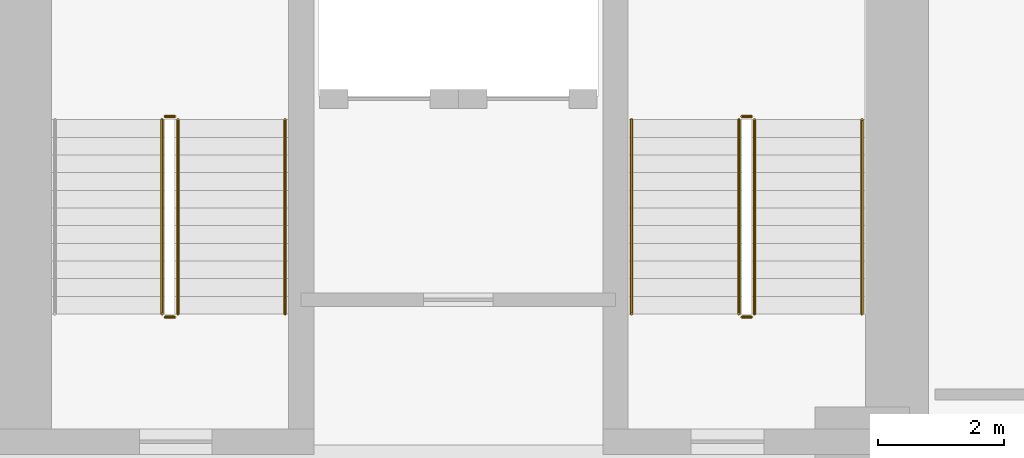
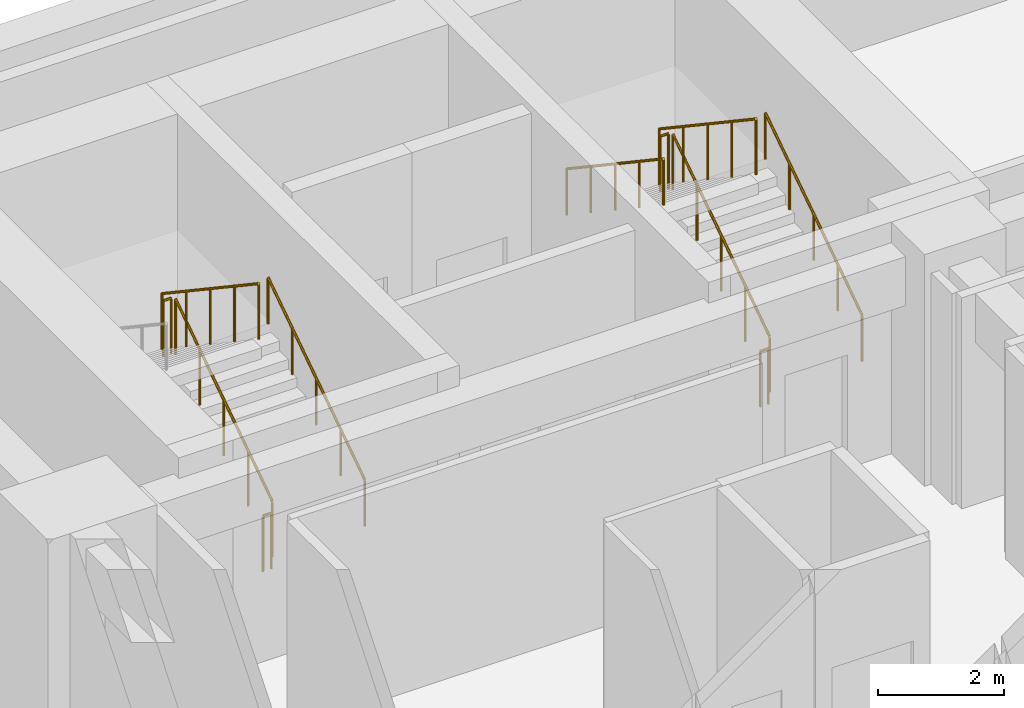
# One storey, part 5 of 6: 11 railings.
"""IFC4 building model written with IfcOpenShell, lengths in metres."""

from ifc_helpers import new_model, si_unit, direction, frame, origin, origin_2d, place, context, subcontext, project, spatial, circle, extrude, material, type_object, element, save


model = new_model("IFC4")

# Units and contexts
model_context = context("Model", 3, precision=1e-05, world=origin(), true_north=direction((0.0, 1.0)))
body_context = subcontext(model_context, "Body", "Model", "MODEL_VIEW")
ifc_project = project(units=[si_unit("LENGTHUNIT", "METRE"), si_unit("AREAUNIT", "SQUARE_METRE"), si_unit("VOLUMEUNIT", "CUBIC_METRE"), si_unit("PLANEANGLEUNIT", "RADIAN"), si_unit("MASSUNIT", "GRAM", prefix="KILO")], contexts=[model_context])

# Site, building, storey
site_placement = place(None, origin())
site = spatial("IfcSite", under=ifc_project, at=site_placement, CompositionType="ELEMENT")
building_placement = place(site_placement, origin())
building = spatial("IfcBuilding", under=site, at=building_placement, Name="Sulina Concourse Tower", CompositionType="ELEMENT")
storey_placement = place(building_placement, frame((0.0, 0.0, -4.5)))
storey = spatial("IfcBuildingStorey", under=building, at=storey_placement, Name="B1", CompositionType="ELEMENT", Elevation=-4.5)

# Railings
ifc_material_1 = material(Name="Galvanised steel railing", Category="steel")
railing_type_1 = type_object("IfcRailingType", Name="Core Stair Steel Guardrail 1150mm", PredefinedType="GUARDRAIL", material=ifc_material_1)
railing_1_placement = place(storey_placement, frame((5.554931640625, 36.375, 0.1875)))
element("IfcRailing", 1, at=railing_1_placement, inside=storey, type_object=railing_type_1, Name="B1 ST-1 stair guard 1", PredefinedType="GUARDRAIL", context=body_context, shape_type="SweptSolid", body=[
    extrude(circle(Radius=0.02392578125, at=origin_2d()), frame((0.0, 0.0, 1.076171875), z_axis=(0.0, 0.830913701846, 0.55640131208), x_axis=(-1.0, 0.0, 0.0)), (0.0, 0.0, 1.0), 3.706787109375),
    extrude(circle(Radius=0.02099609375, at=origin_2d()), origin(), (0.0, 0.0, 1.0), 1.052001953125),
    extrude(circle(Radius=0.02099609375, at=origin_2d()), frame((0.0, 0.77001953125, 0.515625)), (0.0, 0.0, 1.0), 1.052001953125),
    extrude(circle(Radius=0.02099609375, at=origin_2d()), frame((0.0, 1.5400390625, 1.03125)), (0.0, 0.0, 1.0), 1.052001953125),
    extrude(circle(Radius=0.02099609375, at=origin_2d()), frame((0.0, 2.31005859375, 1.546875)), (0.0, 0.0, 1.0), 1.052001953125),
    extrude(circle(Radius=0.02099609375, at=origin_2d()), frame((0.0, 3.080078125, 2.0625)), (0.0, 0.0, 1.0), 1.052001953125),
])
railing_2_placement = place(storey_placement, frame((5.5048828125, 39.5048828125, 2.25)))
element("IfcRailing", 2, at=railing_2_placement, inside=storey, type_object=railing_type_1, Name="B1 ST-1 stair guard 2", PredefinedType="GUARDRAIL", context=body_context, shape_type="SweptSolid", body=[
    extrude(circle(Radius=0.02392578125, at=origin_2d()), frame((0.0, 0.0, 1.076171875), z_axis=(-1.0, 0.0, 0.0), x_axis=(0.0, -1.0, 0.0)), (0.0, 0.0, 1.0), 0.14990234375),
    extrude(circle(Radius=0.02099609375, at=origin_2d()), origin(), (0.0, 0.0, 1.0), 1.052001953125),
    extrude(circle(Radius=0.02099609375, at=origin_2d()), frame((-0.14990234375, 0.0, 0.0)), (0.0, 0.0, 1.0), 1.052001953125),
])
railing_3_placement = place(storey_placement, frame((5.304931640625, 39.455078125, 2.4375)))
element("IfcRailing", 3, at=railing_3_placement, inside=storey, type_object=railing_type_1, Name="B1 ST-1 stair guard 3", PredefinedType="GUARDRAIL", context=body_context, shape_type="SweptSolid", body=[
    extrude(circle(Radius=0.02392578125, at=origin_2d()), frame((0.0, 0.0, 1.076171875), z_axis=(0.0, -0.830913701846, 0.55640131208), x_axis=(1.0, 0.0, 0.0)), (0.0, 0.0, 1.0), 3.706787109375),
    extrude(circle(Radius=0.02099609375, at=origin_2d()), origin(), (0.0, 0.0, 1.0), 1.052001953125),
    extrude(circle(Radius=0.02099609375, at=origin_2d()), frame((0.0, -0.77001953125, 0.515625)), (0.0, 0.0, 1.0), 1.052001953125),
    extrude(circle(Radius=0.02099609375, at=origin_2d()), frame((0.0, -1.5400390625, 1.03125)), (0.0, 0.0, 1.0), 1.052001953125),
    extrude(circle(Radius=0.02099609375, at=origin_2d()), frame((0.0, -2.31005859375, 1.546875)), (0.0, 0.0, 1.0), 1.052001953125),
    extrude(circle(Radius=0.02099609375, at=origin_2d()), frame((0.0, -3.080078125, 2.0625)), (0.0, 0.0, 1.0), 1.052001953125),
])
railing_4_placement = place(storey_placement, frame((5.5048828125, 36.324951171875, 0.0)))
element("IfcRailing", 4, at=railing_4_placement, inside=storey, type_object=railing_type_1, Name="B1 ST-1 stair guard 4", PredefinedType="GUARDRAIL", context=body_context, shape_type="SweptSolid", body=[
    extrude(circle(Radius=0.02392578125, at=origin_2d()), frame((0.0, 0.0, 1.076171875), z_axis=(-1.0, 0.0, 0.0), x_axis=(0.0, -1.0, 0.0)), (0.0, 0.0, 1.0), 0.14990234375),
    extrude(circle(Radius=0.02099609375, at=origin_2d()), origin(), (0.0, 0.0, 1.0), 1.052001953125),
    extrude(circle(Radius=0.02099609375, at=origin_2d()), frame((-0.14990234375, 0.0, 0.0)), (0.0, 0.0, 1.0), 1.052001953125),
])
railing_5_placement = place(storey_placement, frame((14.695068359375, 36.375, 0.1875)))
element("IfcRailing", 5, at=railing_5_placement, inside=storey, type_object=railing_type_1, Name="B1 ST-2 stair guard 1", PredefinedType="GUARDRAIL", context=body_context, shape_type="SweptSolid", body=[
    extrude(circle(Radius=0.02392578125, at=origin_2d()), frame((0.0, 0.0, 1.076171875), z_axis=(0.0, 0.830913701846, 0.55640131208), x_axis=(-1.0, 0.0, 0.0)), (0.0, 0.0, 1.0), 3.706787109375),
    extrude(circle(Radius=0.02099609375, at=origin_2d()), origin(), (0.0, 0.0, 1.0), 1.052001953125),
    extrude(circle(Radius=0.02099609375, at=origin_2d()), frame((0.0, 0.77001953125, 0.515625)), (0.0, 0.0, 1.0), 1.052001953125),
    extrude(circle(Radius=0.02099609375, at=origin_2d()), frame((0.0, 1.5400390625, 1.03125)), (0.0, 0.0, 1.0), 1.052001953125),
    extrude(circle(Radius=0.02099609375, at=origin_2d()), frame((0.0, 2.31005859375, 1.546875)), (0.0, 0.0, 1.0), 1.052001953125),
    extrude(circle(Radius=0.02099609375, at=origin_2d()), frame((0.0, 3.080078125, 2.0625)), (0.0, 0.0, 1.0), 1.052001953125),
])
railing_6_placement = place(storey_placement, frame((14.64501953125, 39.5048828125, 2.25)))
element("IfcRailing", 6, at=railing_6_placement, inside=storey, type_object=railing_type_1, Name="B1 ST-2 stair guard 2", PredefinedType="GUARDRAIL", context=body_context, shape_type="SweptSolid", body=[
    extrude(circle(Radius=0.02392578125, at=origin_2d()), frame((0.0, 0.0, 1.076171875), z_axis=(-1.0, 0.0, 0.0), x_axis=(0.0, -1.0, 0.0)), (0.0, 0.0, 1.0), 0.14990234375),
    extrude(circle(Radius=0.02099609375, at=origin_2d()), origin(), (0.0, 0.0, 1.0), 1.052001953125),
    extrude(circle(Radius=0.02099609375, at=origin_2d()), frame((-0.14990234375, 0.0, 0.0)), (0.0, 0.0, 1.0), 1.052001953125),
])
railing_7_placement = place(storey_placement, frame((14.445068359375, 39.455078125, 2.4375)))
element("IfcRailing", 7, at=railing_7_placement, inside=storey, type_object=railing_type_1, Name="B1 ST-2 stair guard 3", PredefinedType="GUARDRAIL", context=body_context, shape_type="SweptSolid", body=[
    extrude(circle(Radius=0.02392578125, at=origin_2d()), frame((0.0, 0.0, 1.076171875), z_axis=(0.0, -0.830913701846, 0.55640131208), x_axis=(1.0, 0.0, 0.0)), (0.0, 0.0, 1.0), 3.706787109375),
    extrude(circle(Radius=0.02099609375, at=origin_2d()), origin(), (0.0, 0.0, 1.0), 1.052001953125),
    extrude(circle(Radius=0.02099609375, at=origin_2d()), frame((0.0, -0.77001953125, 0.515625)), (0.0, 0.0, 1.0), 1.052001953125),
    extrude(circle(Radius=0.02099609375, at=origin_2d()), frame((0.0, -1.5400390625, 1.03125)), (0.0, 0.0, 1.0), 1.052001953125),
    extrude(circle(Radius=0.02099609375, at=origin_2d()), frame((0.0, -2.31005859375, 1.546875)), (0.0, 0.0, 1.0), 1.052001953125),
    extrude(circle(Radius=0.02099609375, at=origin_2d()), frame((0.0, -3.080078125, 2.0625)), (0.0, 0.0, 1.0), 1.052001953125),
])
railing_8_placement = place(storey_placement, frame((14.64501953125, 36.324951171875, 0.0)))
element("IfcRailing", 8, at=railing_8_placement, inside=storey, type_object=railing_type_1, Name="B1 ST-2 stair guard 4", PredefinedType="GUARDRAIL", context=body_context, shape_type="SweptSolid", body=[
    extrude(circle(Radius=0.02392578125, at=origin_2d()), frame((0.0, 0.0, 1.076171875), z_axis=(-1.0, 0.0, 0.0), x_axis=(0.0, -1.0, 0.0)), (0.0, 0.0, 1.0), 0.14990234375),
    extrude(circle(Radius=0.02099609375, at=origin_2d()), origin(), (0.0, 0.0, 1.0), 1.052001953125),
    extrude(circle(Radius=0.02099609375, at=origin_2d()), frame((-0.14990234375, 0.0, 0.0)), (0.0, 0.0, 1.0), 1.052001953125),
])
ifc_material_2 = material(Name="Galvanised steel railing", Category="steel")
railing_type_2 = type_object("IfcRailingType", Name="Stair Wall Steel Handrail 920mm", PredefinedType="HANDRAIL", material=ifc_material_2)
for number, where, name in (
    (9, (7.2548828125, 36.375, 0.1875), "B1 ST-1 stair handrail 1"),
    (10, (16.39501953125, 36.375, 0.1875), "B1 ST-2 stair handrail 1"),
):
    element("IfcRailing", number, at=place(storey_placement, frame(where)), inside=storey, type_object=railing_type_2, Name=name, PredefinedType="HANDRAIL", context=body_context, shape_type="SweptSolid", body=[
        extrude(circle(Radius=0.02392578125, at=origin_2d()), frame((0.0, 0.0, 0.89599609375), z_axis=(0.0, 0.830913701846, 0.55640131208), x_axis=(-1.0, 0.0, 0.0)), (0.0, 0.0, 1.0), 3.706787109375),
        extrude(circle(Radius=0.02099609375, at=origin_2d()), origin(), (0.0, 0.0, 1.0), 0.871826171875),
        extrude(circle(Radius=0.02099609375, at=origin_2d()), frame((0.0, 0.77001953125, 0.515625)), (0.0, 0.0, 1.0), 0.871826171875),
        extrude(circle(Radius=0.02099609375, at=origin_2d()), frame((0.0, 1.5400390625, 1.03125)), (0.0, 0.0, 1.0), 0.871826171875),
        extrude(circle(Radius=0.02099609375, at=origin_2d()), frame((0.0, 2.31005859375, 1.546875)), (0.0, 0.0, 1.0), 0.871826171875),
        extrude(circle(Radius=0.02099609375, at=origin_2d()), frame((0.0, 3.080078125, 2.0625)), (0.0, 0.0, 1.0), 0.871826171875),
    ])
railing_9_placement = place(storey_placement, frame((12.7451171875, 39.455078125, 2.4375)))
element("IfcRailing", 11, at=railing_9_placement, inside=storey, type_object=railing_type_2, Name="B1 ST-2 stair handrail 2", PredefinedType="HANDRAIL", context=body_context, shape_type="SweptSolid", body=[
    extrude(circle(Radius=0.02392578125, at=origin_2d()), frame((0.0, 0.0, 0.89599609375), z_axis=(0.0, -0.830913701846, 0.55640131208), x_axis=(1.0, 0.0, 0.0)), (0.0, 0.0, 1.0), 3.706787109375),
    extrude(circle(Radius=0.02099609375, at=origin_2d()), origin(), (0.0, 0.0, 1.0), 0.871826171875),
    extrude(circle(Radius=0.02099609375, at=origin_2d()), frame((0.0, -0.77001953125, 0.515625)), (0.0, 0.0, 1.0), 0.871826171875),
    extrude(circle(Radius=0.02099609375, at=origin_2d()), frame((0.0, -1.5400390625, 1.03125)), (0.0, 0.0, 1.0), 0.871826171875),
    extrude(circle(Radius=0.02099609375, at=origin_2d()), frame((0.0, -2.31005859375, 1.546875)), (0.0, 0.0, 1.0), 0.871826171875),
    extrude(circle(Radius=0.02099609375, at=origin_2d()), frame((0.0, -3.080078125, 2.0625)), (0.0, 0.0, 1.0), 0.871826171875),
])

save(model, "model.ifc")
